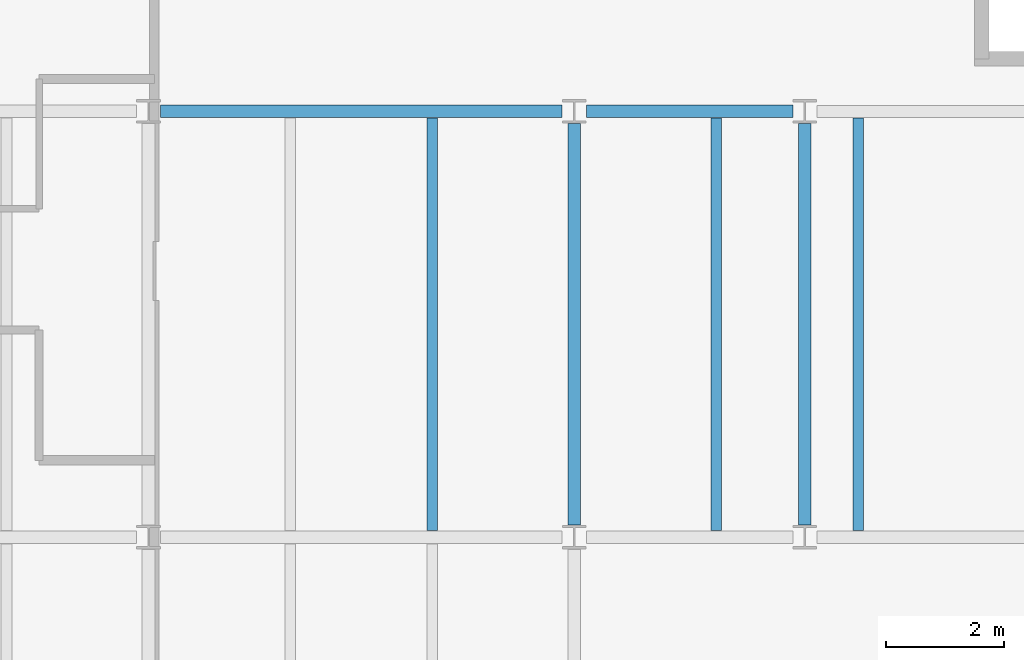
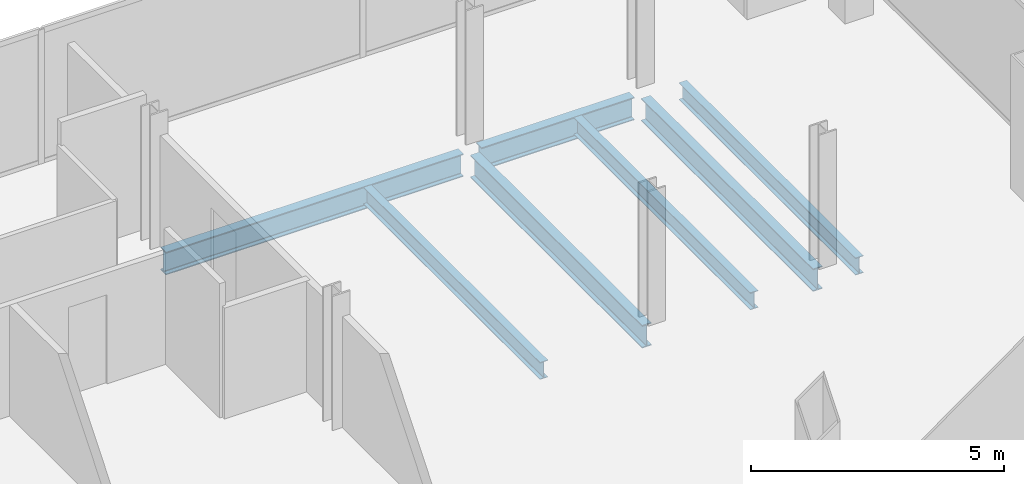
# One storey, part 15 of 23: 7 beams.
"""IFC4 building model written with IfcOpenShell, lengths in metres."""

from ifc_helpers import new_model, si_unit, direction, frame, origin, origin_2d, place, context, subcontext, project, spatial, i_section, extrude, material, material_profile, profile_set, type_object, element, save


model = new_model("IFC4")

# Units and contexts
model_context = context("Model", 3, precision=1e-05, world=origin(), true_north=direction((0.0, 1.0)))
body_context = subcontext(model_context, "Body", "Model", "MODEL_VIEW")
ifc_project = project(units=[si_unit("LENGTHUNIT", "METRE"), si_unit("AREAUNIT", "SQUARE_METRE"), si_unit("VOLUMEUNIT", "CUBIC_METRE"), si_unit("PLANEANGLEUNIT", "RADIAN"), si_unit("MASSUNIT", "GRAM", prefix="KILO")], contexts=[model_context])

# Site, building, storey
site_placement = place(None, origin())
site = spatial("IfcSite", under=ifc_project, at=site_placement, CompositionType="ELEMENT")
building_placement = place(site_placement, origin())
building = spatial("IfcBuilding", under=site, at=building_placement, Name="Cobrela Telecom Tower", CompositionType="ELEMENT")
storey_placement = place(building_placement, frame((0.0, 0.0, 269.14990234375)))
storey = spatial("IfcBuildingStorey", under=building, at=storey_placement, Name="L70", CompositionType="ELEMENT", Elevation=269.14990234375)

# Beams
ifc_material = material(Name="Steel ASTM A992 Grade 50", Category="steel")
ifc_material_profile_1 = material_profile(ifc_material, i_section(OverallWidth=0.212890625, OverallDepth=0.549072265625, WebThickness=0.0146484375, FlangeThickness=0.023681640625, FilletRadius=0.013916015625, at=origin_2d()), Name="W21X93")
ifc_profile_set_1 = profile_set([ifc_material_profile_1], Name="Steel ASTM A992 Grade 50")
beam_type_1 = type_object("IfcBeamType", Name="BM-GIRD-08", PredefinedType="USERDEFINED", material=ifc_profile_set_1)
beam_1_placement = place(storey_placement, frame((29.00439453125, 21.60009765625, -0.534423828125), z_axis=(1.0, 0.0, 0.0), x_axis=(0.0, 1.0, 0.0)))
element("IfcBeam", 1, at=beam_1_placement, inside=storey, type_object=beam_type_1, Name="L70 Primary Girder X12", ObjectType="GIRDER", PredefinedType="USERDEFINED", context=body_context, shape_type="SweptSolid", body=[
    extrude(i_section(OverallWidth=0.212890625, OverallDepth=0.549072265625, WebThickness=0.0146484375, FlangeThickness=0.023681640625, FilletRadius=0.013916015625, at=origin_2d()), origin(), (0.0, 0.0, 1.0), 6.791015625),
])
beam_2_placement = place(storey_placement, frame((36.20458984375, 21.60009765625, -0.534423828125), z_axis=(1.0, 0.0, 0.0), x_axis=(0.0, 1.0, 0.0)))
element("IfcBeam", 2, at=beam_2_placement, inside=storey, type_object=beam_type_1, Name="L70 Primary Girder X13", ObjectType="GIRDER", PredefinedType="USERDEFINED", context=body_context, shape_type="SweptSolid", body=[
    extrude(i_section(OverallWidth=0.212890625, OverallDepth=0.549072265625, WebThickness=0.0146484375, FlangeThickness=0.023681640625, FilletRadius=0.013916015625, at=origin_2d()), origin(), (0.0, 0.0, 1.0), 3.490966796875),
])
for number, where, z_axis, x_axis, name in (
    (3, (36.0, 14.6044921875, -0.534423828125), (0.0, 1.0, 0.0), (-1.0, 0.0, 0.0), "L70 Primary Girder Y32"),
    (4, (39.89990234375, 14.6044921875, -0.534423828125), (0.0, 1.0, 0.0), (-1.0, 0.0, 0.0), "L70 Primary Girder Y33"),
):
    element("IfcBeam", number, at=place(storey_placement, frame(where, z_axis=z_axis, x_axis=x_axis)), inside=storey, type_object=beam_type_1, Name=name, ObjectType="GIRDER", PredefinedType="USERDEFINED", context=body_context, shape_type="SweptSolid", body=[
        extrude(i_section(OverallWidth=0.212890625, OverallDepth=0.549072265625, WebThickness=0.0146484375, FlangeThickness=0.023681640625, FilletRadius=0.013916015625, at=origin_2d()), origin(), (0.0, 0.0, 1.0), 6.791015625),
    ])
ifc_material_profile_2 = material_profile(ifc_material, i_section(OverallWidth=0.179931640625, OverallDepth=0.4169921875, WebThickness=0.010986328125, FlangeThickness=0.01806640625, FilletRadius=0.011962890625, at=origin_2d()), Name="W16X57")
ifc_profile_set_2 = profile_set([ifc_material_profile_2], Name="Steel ASTM A992 Grade 50")
beam_type_2 = type_object("IfcBeamType", Name="BM-JOIST-04", PredefinedType="JOIST", material=ifc_profile_set_2)
for number, where, z_axis, x_axis, name in (
    (5, (33.60009765625, 14.511474609375, -0.468505859375), (0.0, 1.0, 0.0), (-1.0, 0.0, 0.0), "L70 Secondary Composite Floor Beam J14"),
    (6, (38.39990234375, 14.511474609375, -0.468505859375), (0.0, 1.0, 0.0), (-1.0, 0.0, 0.0), "L70 Secondary Composite Floor Beam J15"),
):
    element("IfcBeam", number, at=place(storey_placement, frame(where, z_axis=z_axis, x_axis=x_axis)), inside=storey, type_object=beam_type_2, Name=name, PredefinedType="JOIST", context=body_context, shape_type="SweptSolid", body=[
        extrude(i_section(OverallWidth=0.179931640625, OverallDepth=0.4169921875, WebThickness=0.010986328125, FlangeThickness=0.01806640625, FilletRadius=0.011962890625, at=origin_2d()), origin(), (0.0, 0.0, 1.0), 6.97705078125),
    ])
beam_3_placement = place(storey_placement, frame((40.800048828125, 14.511474609375, -0.468505859375), z_axis=(0.0, 1.0, 0.0), x_axis=(-1.0, 0.0, 0.0)))
element("IfcBeam", 7, at=beam_3_placement, inside=storey, type_object=beam_type_2, Name="L70 Secondary Composite Floor Beam J16", PredefinedType="JOIST", context=body_context, shape_type="SweptSolid", body=[
    extrude(i_section(OverallWidth=0.179931640625, OverallDepth=0.4169921875, WebThickness=0.010986328125, FlangeThickness=0.01806640625, FilletRadius=0.011962890625, at=origin_2d()), origin(), (0.0, 0.0, 1.0), 6.98095703125),
])

save(model, "model.ifc")
